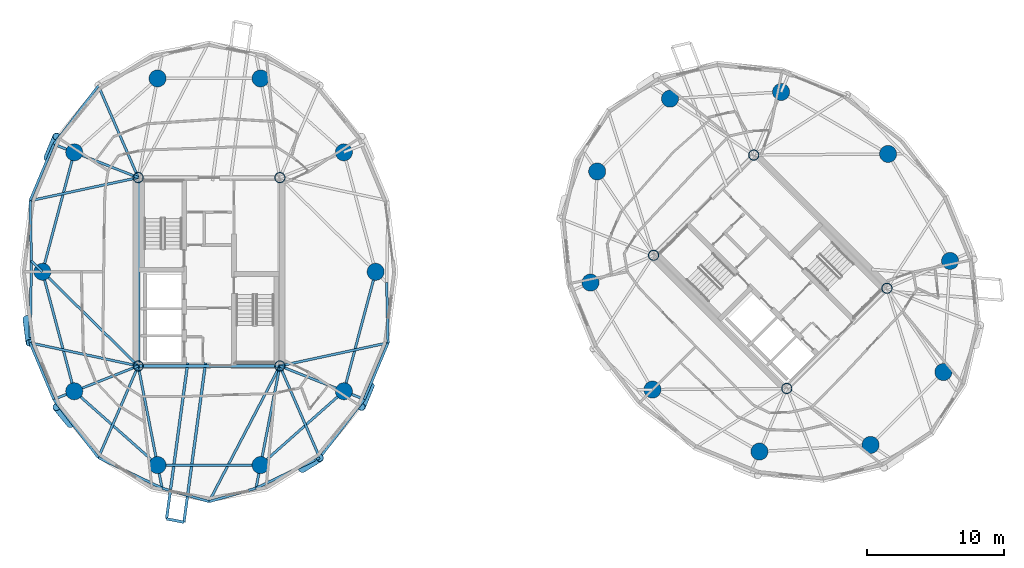
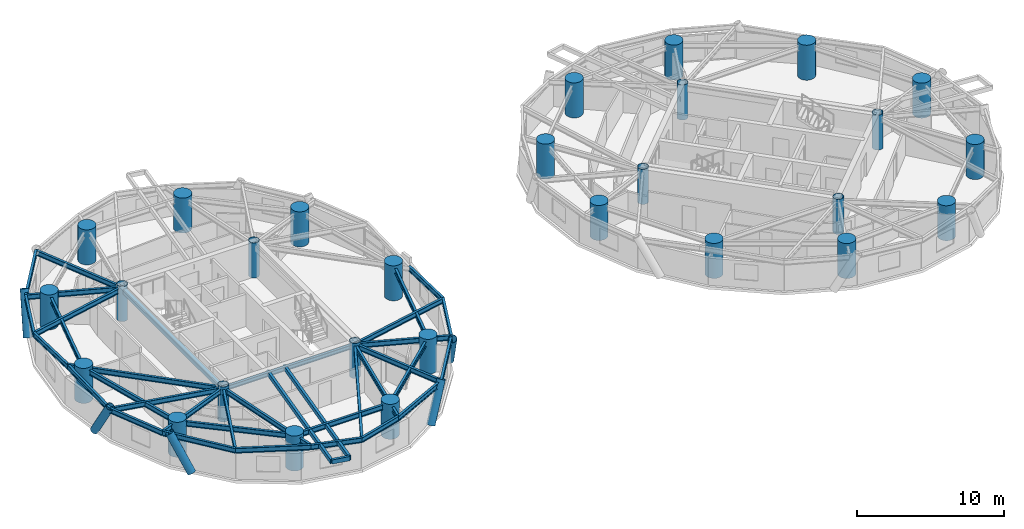
# One storey, part 1 of 17: 38 beams, 28 columns, 5 members.
"""IFC4 building model written with IfcOpenShell, lengths in metres."""

from ifc_helpers import new_model, si_unit, direction, frame, origin, origin_2d, place, context, subcontext, project, spatial, hollow_rectangle, circle, hollow_circle, i_section, extrude, material, material_profile, profile_set, type_object, element, save


model = new_model("IFC4")

# Units and contexts
model_context = context("Model", 3, precision=1e-05, world=origin(), true_north=direction((0.0, 1.0)))
body_context = subcontext(model_context, "Body", "Model", "MODEL_VIEW")
ifc_project = project(units=[si_unit("LENGTHUNIT", "METRE"), si_unit("AREAUNIT", "SQUARE_METRE"), si_unit("VOLUMEUNIT", "CUBIC_METRE"), si_unit("PLANEANGLEUNIT", "RADIAN"), si_unit("MASSUNIT", "GRAM", prefix="KILO")], contexts=[model_context])

# Site, building, storey
site_placement = place(None, origin())
site = spatial("IfcSite", under=ifc_project, at=site_placement, CompositionType="ELEMENT")
building_placement = place(site_placement, origin())
building = spatial("IfcBuilding", under=site, at=building_placement, Name="Cununo Teusaquillo Station Towers", CompositionType="ELEMENT")
storey_placement = place(building_placement, frame((0.0, 0.0, 174.8798828125)))
storey = spatial("IfcBuildingStorey", under=building, at=storey_placement, Name="L55", CompositionType="ELEMENT", Elevation=174.8798828125)

# Columns
ifc_material_1 = material(Name="Steel EN 10025-2 S355J2", Category="steel")
ifc_material_profile_1 = material_profile(ifc_material_1, hollow_circle(Radius=0.3798828125, WallThickness=0.031982421875, at=origin_2d()), Name="CHS 760x32")
ifc_profile_set_1 = profile_set([ifc_material_profile_1], Name="Steel EN 10025-2 S355J2")
column_type_1 = type_object("IfcColumnType", Name="COL-CORE-Z2", PredefinedType="COLUMN", material=ifc_profile_set_1)
for number, where, z_axis, x_axis, name in (
    (1, (11.324951171875, 17.6201171875, 0.0), (0.0, 0.0, 1.0), (1.0, 0.0, 0.0), "L55 Tower A Core Column 1"),
    (2, (11.324951171875, 31.3798828125, 0.0), (0.0, 0.0, 1.0), (1.0, 0.0, 0.0), "L55 Tower A Core Column 2"),
    (3, (21.675048828125, 17.6201171875, 0.0), (0.0, 0.0, 1.0), (1.0, 0.0, 0.0), "L55 Tower A Core Column 3"),
    (4, (21.675048828125, 31.3798828125, 0.0), (0.0, 0.0, 1.0), (1.0, 0.0, 0.0), "L55 Tower A Core Column 4"),
    (5, (58.70556640625, 15.975830078125, 0.0), (0.0, 0.0, 1.0), (0.707106781187, 0.707106781187, 0.0), "L55 Tower B Core Column 1"),
    (6, (48.975830078125, 25.70556640625, 0.0), (0.0, 0.0, 1.0), (0.707106781187, 0.707106781187, 0.0), "L55 Tower B Core Column 2"),
    (7, (66.024169921875, 23.29443359375, 0.0), (0.0, 0.0, 1.0), (0.707106781187, 0.707106781187, 0.0), "L55 Tower B Core Column 3"),
    (8, (56.29443359375, 33.024169921875, 0.0), (0.0, 0.0, 1.0), (0.707106781187, 0.707106781187, 0.0), "L55 Tower B Core Column 4"),
):
    element("IfcColumn", number, at=place(storey_placement, frame(where, z_axis=z_axis, x_axis=x_axis)), inside=storey, type_object=column_type_1, Name=name, PredefinedType="COLUMN", context=body_context, shape_type="SweptSolid", body=[
        extrude(hollow_circle(Radius=0.3798828125, WallThickness=0.031982421875, at=origin_2d()), origin(), (0.0, 0.0, 1.0), 2.91015625),
    ])
ifc_material_2 = material(Name="Concrete C60/75", Category="concrete")
ifc_material_profile_2 = material_profile(ifc_material_2, circle(Radius=0.625, at=origin_2d()), Name="RC-CIRC-1250")
ifc_profile_set_2 = profile_set([ifc_material_profile_2], Name="Concrete C60/75")
column_type_2 = type_object("IfcColumnType", Name="COL-MEGA-Z3", PredefinedType="USERDEFINED", material=ifc_profile_set_2)
for number, where, z_axis, x_axis, name in (
    (9, (28.672119140625, 24.5, 0.0), (0.0, 0.0, 1.0), (1.0, 0.0, 0.0), "L55 Tower A Perimeter Column V00"),
    (10, (26.347412109375, 33.228515625, 0.0), (0.0, 0.0, 1.0), (1.0, 0.0, 0.0), "L55 Tower A Perimeter Column V02"),
    (11, (20.261474609375, 38.623291015625, 0.0), (0.0, 0.0, 1.0), (1.0, 0.0, 0.0), "L55 Tower A Perimeter Column V04"),
    (12, (12.738525390625, 38.623291015625, 0.0), (0.0, 0.0, 1.0), (1.0, 0.0, 0.0), "L55 Tower A Perimeter Column V06"),
    (13, (6.652587890625, 33.228515625, 0.0), (0.0, 0.0, 1.0), (1.0, 0.0, 0.0), "L55 Tower A Perimeter Column V08"),
    (14, (4.327880859375, 24.5, 0.0), (0.0, 0.0, 1.0), (1.0, 0.0, 0.0), "L55 Tower A Perimeter Column V10"),
    (15, (6.652587890625, 15.771484375, 0.0), (0.0, 0.0, 1.0), (1.0, 0.0, 0.0), "L55 Tower A Perimeter Column V12"),
    (16, (12.738525390625, 10.376708984375, 0.0), (0.0, 0.0, 1.0), (1.0, 0.0, 0.0), "L55 Tower A Perimeter Column V14"),
    (17, (20.261474609375, 10.376708984375, 0.0), (0.0, 0.0, 1.0), (1.0, 0.0, 0.0), "L55 Tower A Perimeter Column V16"),
    (18, (26.347412109375, 15.771484375, 0.0), (0.0, 0.0, 1.0), (1.0, 0.0, 0.0), "L55 Tower A Perimeter Column V18"),
    (19, (66.10693359375, 33.10693359375, 0.0), (0.0, 0.0, 1.0), (1.0, 0.0, 0.0), "L55 Tower B Perimeter Column V00"),
    (20, (58.291015625, 37.63525390625, 0.0), (0.0, 0.0, 1.0), (1.0, 0.0, 0.0), "L55 Tower B Perimeter Column V02"),
    (21, (50.173095703125, 37.146240234375, 0.0), (0.0, 0.0, 1.0), (1.0, 0.0, 0.0), "L55 Tower B Perimeter Column V04"),
    (22, (44.853759765625, 31.826904296875, 0.0), (0.0, 0.0, 1.0), (1.0, 0.0, 0.0), "L55 Tower B Perimeter Column V06"),
    (23, (44.36474609375, 23.708984375, 0.0), (0.0, 0.0, 1.0), (1.0, 0.0, 0.0), "L55 Tower B Perimeter Column V08"),
    (24, (48.89306640625, 15.89306640625, 0.0), (0.0, 0.0, 1.0), (1.0, 0.0, 0.0), "L55 Tower B Perimeter Column V10"),
    (25, (56.708984375, 11.36474609375, 0.0), (0.0, 0.0, 1.0), (1.0, 0.0, 0.0), "L55 Tower B Perimeter Column V12"),
    (26, (64.826904296875, 11.853759765625, 0.0), (0.0, 0.0, 1.0), (1.0, 0.0, 0.0), "L55 Tower B Perimeter Column V14"),
    (27, (70.146240234375, 17.173095703125, 0.0), (0.0, 0.0, 1.0), (1.0, 0.0, 0.0), "L55 Tower B Perimeter Column V16"),
    (28, (70.63525390625, 25.291015625, 0.0), (0.0, 0.0, 1.0), (1.0, 0.0, 0.0), "L55 Tower B Perimeter Column V18"),
):
    element("IfcColumn", number, at=place(storey_placement, frame(where, z_axis=z_axis, x_axis=x_axis)), inside=storey, type_object=column_type_2, Name=name, ObjectType="MEGA COLUMN", PredefinedType="USERDEFINED", context=body_context, shape_type="SweptSolid", body=[
        extrude(circle(Radius=0.625, at=origin_2d()), origin(), (0.0, 0.0, 1.0), 2.91015625),
    ])

# Beams
ifc_material_3 = material(Name="Steel EN 10025-2 S355J2", Category="steel")
ifc_material_profile_3 = material_profile(ifc_material_3, hollow_rectangle(XDim=0.199951171875, YDim=0.35009765625, WallThickness=0.013916015625, at=origin_2d()), Name="RHS 350x200x14")
ifc_profile_set_3 = profile_set([ifc_material_profile_3], Name="Steel EN 10025-2 S355J2")
beam_type_1 = type_object("IfcBeamType", Name="BM-BAL-CANT", PredefinedType="BEAM", material=ifc_profile_set_3)
beam_1_placement = place(storey_placement, frame((14.94482421875, 17.85009765625, 2.51513671875), z_axis=(-0.134626438315, -0.990896423501, 0.0), x_axis=(0.990896423501, -0.134626438315, 0.0)))
element("IfcBeam", 29, at=beam_1_placement, inside=storey, type_object=beam_type_1, Name="L55 Tower A Balcony Cantilever Bracket 2A", PredefinedType="BEAM", context=body_context, shape_type="SweptSolid", body=[
    extrude(hollow_rectangle(XDim=0.199951171875, YDim=0.35009765625, WallThickness=0.013916015625, at=origin_2d()), origin(), (0.0, 0.0, 1.0), 11.504638671875),
])
beam_2_placement = place(storey_placement, frame((16.248046875, 17.85009765625, 2.51513671875), z_axis=(-0.134615370715, -0.990897927118, 0.0), x_axis=(0.990897927118, -0.134615370715, 0.0)))
element("IfcBeam", 30, at=beam_2_placement, inside=storey, type_object=beam_type_1, Name="L55 Tower A Balcony Cantilever Bracket 2B", PredefinedType="BEAM", context=body_context, shape_type="SweptSolid", body=[
    extrude(hollow_rectangle(XDim=0.199951171875, YDim=0.35009765625, WallThickness=0.013916015625, at=origin_2d()), origin(), (0.0, 0.0, 1.0), 11.752197265625),
])
ifc_material_4 = material(Name="Steel EN 10025-2 S355J2", Category="steel")
ifc_material_profile_4 = material_profile(ifc_material_4, hollow_rectangle(XDim=0.25, YDim=0.449951171875, WallThickness=0.01611328125, at=origin_2d()), Name="RHS 450x250x16")
ifc_profile_set_4 = profile_set([ifc_material_profile_4], Name="Steel EN 10025-2 S355J2")
beam_type_2 = type_object("IfcBeamType", Name="BM-COUP-1", PredefinedType="USERDEFINED", material=ifc_profile_set_4)
beam_3_placement = place(storey_placement, frame((11.324951171875, 17.6201171875, 2.465087890625), z_axis=(0.0, 1.0, 0.0), x_axis=(-1.0, 0.0, 0.0)))
element("IfcBeam", 31, at=beam_3_placement, inside=storey, type_object=beam_type_2, Name="L55 Tower A Core Beam 1", ObjectType="COUPLING BEAM", PredefinedType="USERDEFINED", context=body_context, shape_type="SweptSolid", body=[
    extrude(hollow_rectangle(XDim=0.25, YDim=0.449951171875, WallThickness=0.01611328125, at=origin_2d()), origin(), (0.0, 0.0, 1.0), 13.759765625),
])
ifc_material_5 = material(Name="Steel ASTM A572 Grade 50", Category="steel")
ifc_material_profile_5 = material_profile(ifc_material_5, i_section(OverallWidth=0.180908203125, OverallDepth=0.4169921875, WebThickness=0.010986328125, FlangeThickness=0.018310546875, FilletRadius=0.012939453125, at=origin_2d()), Name="W16X57")
ifc_profile_set_5 = profile_set([ifc_material_profile_5], Name="Steel ASTM A572 Grade 50")
beam_type_3 = type_object("IfcBeamType", Name="BM-JOIST-1", PredefinedType="JOIST", material=ifc_profile_set_5)
beam_4_placement = place(storey_placement, frame((11.324951171875, 31.3798828125, 2.481689453125), z_axis=(-0.397903718051, 0.917427180304, 0.0), x_axis=(-0.917427180304, -0.397903718051, 0.0)))
element("IfcBeam", 32, at=beam_4_placement, inside=storey, type_object=beam_type_3, Name="L55 Tower A Radial Spandrel Joist V07", PredefinedType="JOIST", context=body_context, shape_type="SweptSolid", body=[
    extrude(i_section(OverallWidth=0.180908203125, OverallDepth=0.4169921875, WebThickness=0.010986328125, FlangeThickness=0.018310546875, FilletRadius=0.012939453125, at=origin_2d()), origin(), (0.0, 0.0, 1.0), 7.306884765625),
])
for number, where, z_axis, x_axis, name in (
    (33, (11.324951171875, 31.3798828125, 2.481689453125), (-0.977854548984, -0.209285644589, 0.0), (0.209285644589, -0.977854548984, 0.0), "L55 Tower A Radial Spandrel Joist V09"),
    (34, (11.324951171875, 17.6201171875, 2.481689453125), (-0.977854548984, 0.209285644589, 0.0), (-0.209285644589, -0.977854548984, 0.0), "L55 Tower A Radial Spandrel Joist V11"),
):
    element("IfcBeam", number, at=place(storey_placement, frame(where, z_axis=z_axis, x_axis=x_axis)), inside=storey, type_object=beam_type_3, Name=name, PredefinedType="JOIST", context=body_context, shape_type="SweptSolid", body=[
        extrude(i_section(OverallWidth=0.180908203125, OverallDepth=0.4169921875, WebThickness=0.010986328125, FlangeThickness=0.018310546875, FilletRadius=0.012939453125, at=origin_2d()), origin(), (0.0, 0.0, 1.0), 8.081787109375),
    ])
beam_5_placement = place(storey_placement, frame((11.324951171875, 17.6201171875, 2.481689453125), z_axis=(-0.397903718051, -0.917427180304, 0.0), x_axis=(0.917427180304, -0.397903718051, 0.0)))
element("IfcBeam", 35, at=beam_5_placement, inside=storey, type_object=beam_type_3, Name="L55 Tower A Radial Spandrel Joist V13", PredefinedType="JOIST", context=body_context, shape_type="SweptSolid", body=[
    extrude(i_section(OverallWidth=0.180908203125, OverallDepth=0.4169921875, WebThickness=0.010986328125, FlangeThickness=0.018310546875, FilletRadius=0.012939453125, at=origin_2d()), origin(), (0.0, 0.0, 1.0), 7.306884765625),
])
beam_6_placement = place(storey_placement, frame((21.675048828125, 17.6201171875, 2.481689453125), z_axis=(-0.462884645231, -0.886418527113, 0.0), x_axis=(0.886418527113, -0.462884645231, 0.0)))
element("IfcBeam", 36, at=beam_6_placement, inside=storey, type_object=beam_type_3, Name="L55 Tower A Radial Spandrel Joist V15", PredefinedType="JOIST", context=body_context, shape_type="SweptSolid", body=[
    extrude(i_section(OverallWidth=0.180908203125, OverallDepth=0.4169921875, WebThickness=0.010986328125, FlangeThickness=0.018310546875, FilletRadius=0.012939453125, at=origin_2d()), origin(), (0.0, 0.0, 1.0), 11.179931640625),
])
beam_7_placement = place(storey_placement, frame((21.675048828125, 17.6201171875, 2.481689453125), z_axis=(0.397903718051, -0.917427180304, 0.0), x_axis=(0.917427180304, 0.397903718051, 0.0)))
element("IfcBeam", 37, at=beam_7_placement, inside=storey, type_object=beam_type_3, Name="L55 Tower A Radial Spandrel Joist V17", PredefinedType="JOIST", context=body_context, shape_type="SweptSolid", body=[
    extrude(i_section(OverallWidth=0.180908203125, OverallDepth=0.4169921875, WebThickness=0.010986328125, FlangeThickness=0.018310546875, FilletRadius=0.012939453125, at=origin_2d()), origin(), (0.0, 0.0, 1.0), 7.306884765625),
])
beam_8_placement = place(storey_placement, frame((21.675048828125, 17.6201171875, 2.481689453125), z_axis=(0.977854548984, 0.209285644589, 0.0), x_axis=(-0.209285644589, 0.977854548984, 0.0)))
element("IfcBeam", 38, at=beam_8_placement, inside=storey, type_object=beam_type_3, Name="L55 Tower A Radial Spandrel Joist V19", PredefinedType="JOIST", context=body_context, shape_type="SweptSolid", body=[
    extrude(i_section(OverallWidth=0.180908203125, OverallDepth=0.4169921875, WebThickness=0.010986328125, FlangeThickness=0.018310546875, FilletRadius=0.012939453125, at=origin_2d()), origin(), (0.0, 0.0, 1.0), 8.081787109375),
])
ifc_material_6 = material(Name="Steel ASTM A572 Grade 50", Category="steel")
ifc_material_profile_6 = material_profile(ifc_material_6, i_section(OverallWidth=0.2041015625, OverallDepth=0.35009765625, WebThickness=0.008544921875, FlangeThickness=0.01513671875, FilletRadius=0.011962890625, at=origin_2d()), Name="W14X48")
ifc_profile_set_6 = profile_set([ifc_material_profile_6], Name="Steel ASTM A572 Grade 50")
beam_type_4 = type_object("IfcBeamType", Name="BM-LINTEL-1", PredefinedType="LINTEL", material=ifc_profile_set_6)
beam_9_placement = place(storey_placement, frame((11.324951171875, 17.6201171875, 2.51513671875), z_axis=(1.0, 0.0, 0.0), x_axis=(0.0, 1.0, 0.0)))
element("IfcBeam", 39, at=beam_9_placement, inside=storey, type_object=beam_type_4, Name="L55 Tower A Core Beam 3", PredefinedType="LINTEL", context=body_context, shape_type="SweptSolid", body=[
    extrude(i_section(OverallWidth=0.2041015625, OverallDepth=0.35009765625, WebThickness=0.008544921875, FlangeThickness=0.01513671875, FilletRadius=0.011962890625, at=origin_2d()), origin(), (0.0, 0.0, 1.0), 10.35009765625),
])
ifc_material_7 = material(Name="Steel ASTM A572 Grade 50", Category="steel")
ifc_material_profile_7 = material_profile(ifc_material_7, i_section(OverallWidth=0.180908203125, OverallDepth=0.4169921875, WebThickness=0.010986328125, FlangeThickness=0.018310546875, FilletRadius=0.012939453125, at=origin_2d()), Name="W16X57")
ifc_profile_set_7 = profile_set([ifc_material_profile_7], Name="Steel ASTM A572 Grade 50")
beam_type_5 = type_object("IfcBeamType", Name="BM-RAD-G2", PredefinedType="BEAM", material=ifc_profile_set_7)
beam_10_placement = place(storey_placement, frame((11.324951171875, 31.3798828125, 2.481689453125), z_axis=(-0.929866438974, 0.367897275974, 0.0), x_axis=(-0.367897275974, -0.929866438974, 0.0)))
element("IfcBeam", 40, at=beam_10_placement, inside=storey, type_object=beam_type_5, Name="L55 Tower A Continuous Overhanging Radial Girder 05", PredefinedType="BEAM", context=body_context, shape_type="SweptSolid", body=[
    extrude(i_section(OverallWidth=0.180908203125, OverallDepth=0.4169921875, WebThickness=0.010986328125, FlangeThickness=0.018310546875, FilletRadius=0.012939453125, at=origin_2d()), origin(), (0.0, 0.0, 1.0), 6.632080078125),
])
beam_11_placement = place(storey_placement, frame((11.324951171875, 17.6201171875, 2.481689453125), z_axis=(-0.713052701438, 0.701110437073, 0.0), x_axis=(-0.701110437073, -0.713052701438, 0.0)))
element("IfcBeam", 41, at=beam_11_placement, inside=storey, type_object=beam_type_5, Name="L55 Tower A Radial Girder 06A", PredefinedType="BEAM", context=body_context, shape_type="SweptSolid", body=[
    extrude(i_section(OverallWidth=0.180908203125, OverallDepth=0.4169921875, WebThickness=0.010986328125, FlangeThickness=0.018310546875, FilletRadius=0.012939453125, at=origin_2d()), origin(), (0.0, 0.0, 1.0), 9.812744140625),
])
beam_12_placement = place(storey_placement, frame((4.327880859375, 24.5, 2.481689453125), z_axis=(-0.713045362701, 0.701117900734, 0.0), x_axis=(-0.701117900734, -0.713045362701, 0.0)))
element("IfcBeam", 42, at=beam_12_placement, inside=storey, type_object=beam_type_5, Name="L55 Tower A Perimeter Overhang Girder 06B", PredefinedType="BEAM", context=body_context, shape_type="SweptSolid", body=[
    extrude(i_section(OverallWidth=0.180908203125, OverallDepth=0.4169921875, WebThickness=0.010986328125, FlangeThickness=0.018310546875, FilletRadius=0.012939453125, at=origin_2d()), origin(), (0.0, 0.0, 1.0), 1.125732421875),
])
beam_13_placement = place(storey_placement, frame((11.324951171875, 17.6201171875, 2.481689453125), z_axis=(-0.929866438974, -0.367897275974, 0.0), x_axis=(0.367897275974, -0.929866438974, 0.0)))
element("IfcBeam", 43, at=beam_13_placement, inside=storey, type_object=beam_type_5, Name="L55 Tower A Continuous Overhanging Radial Girder 07", PredefinedType="BEAM", context=body_context, shape_type="SweptSolid", body=[
    extrude(i_section(OverallWidth=0.180908203125, OverallDepth=0.4169921875, WebThickness=0.010986328125, FlangeThickness=0.018310546875, FilletRadius=0.012939453125, at=origin_2d()), origin(), (0.0, 0.0, 1.0), 6.632080078125),
])
for number, where, z_axis, x_axis, name in (
    (44, (11.324951171875, 17.6201171875, 2.481689453125), (0.191557018874, -0.981481486591, 0.0), (0.981481486591, 0.191557018874, 0.0), "L55 Tower A Continuous Overhanging Radial Girder 08"),
    (45, (21.675048828125, 17.6201171875, 2.481689453125), (-0.191557018874, -0.981481486591, 0.0), (0.981481486591, -0.191557018874, 0.0), "L55 Tower A Continuous Overhanging Radial Girder 09"),
):
    element("IfcBeam", number, at=place(storey_placement, frame(where, z_axis=z_axis, x_axis=x_axis)), inside=storey, type_object=beam_type_5, Name=name, PredefinedType="BEAM", context=body_context, shape_type="SweptSolid", body=[
        extrude(i_section(OverallWidth=0.180908203125, OverallDepth=0.4169921875, WebThickness=0.010986328125, FlangeThickness=0.018310546875, FilletRadius=0.012939453125, at=origin_2d()), origin(), (0.0, 0.0, 1.0), 9.097412109375),
    ])
beam_14_placement = place(storey_placement, frame((21.675048828125, 17.6201171875, 2.481689453125), z_axis=(0.929866438974, -0.367897275974, 0.0), x_axis=(0.367897275974, 0.929866438974, 0.0)))
element("IfcBeam", 46, at=beam_14_placement, inside=storey, type_object=beam_type_5, Name="L55 Tower A Continuous Overhanging Radial Girder 10", PredefinedType="BEAM", context=body_context, shape_type="SweptSolid", body=[
    extrude(i_section(OverallWidth=0.180908203125, OverallDepth=0.4169921875, WebThickness=0.010986328125, FlangeThickness=0.018310546875, FilletRadius=0.012939453125, at=origin_2d()), origin(), (0.0, 0.0, 1.0), 6.632080078125),
])
ifc_material_8 = material(Name="Steel ASTM A572 Grade 50", Category="steel")
ifc_material_profile_8 = material_profile(ifc_material_8, i_section(OverallWidth=0.180908203125, OverallDepth=0.4169921875, WebThickness=0.010986328125, FlangeThickness=0.018310546875, FilletRadius=0.012939453125, at=origin_2d()), Name="W16X57")
ifc_profile_set_8 = profile_set([ifc_material_profile_8], Name="Steel ASTM A572 Grade 50")
beam_type_6 = type_object("IfcBeamType", Name="BM-RING-Z3", PredefinedType="SPANDREL", material=ifc_profile_set_8)
for number, where, z_axis, x_axis, name in (
    (47, (6.652587890625, 33.228515625, 2.481689453125), (-0.257363196347, -0.966314744359, 0.0), (0.966314744359, -0.257363196347, 0.0), "L55 Tower A Structural Column Ring Girder 05"),
    (48, (4.327880859375, 24.5, 2.481689453125), (0.257363196347, -0.966314744359, 0.0), (0.966314744359, 0.257363196347, 0.0), "L55 Tower A Structural Column Ring Girder 06"),
):
    element("IfcBeam", number, at=place(storey_placement, frame(where, z_axis=z_axis, x_axis=x_axis)), inside=storey, type_object=beam_type_6, Name=name, PredefinedType="SPANDREL", context=body_context, shape_type="SweptSolid", body=[
        extrude(i_section(OverallWidth=0.180908203125, OverallDepth=0.4169921875, WebThickness=0.010986328125, FlangeThickness=0.018310546875, FilletRadius=0.012939453125, at=origin_2d()), origin(), (0.0, 0.0, 1.0), 9.03271484375),
    ])
beam_15_placement = place(storey_placement, frame((6.652587890625, 15.771484375, 2.481689453125), z_axis=(0.74832120039, -0.66333655187, 0.0), x_axis=(0.66333655187, 0.74832120039, 0.0)))
element("IfcBeam", 49, at=beam_15_placement, inside=storey, type_object=beam_type_6, Name="L55 Tower A Structural Column Ring Girder 07", PredefinedType="SPANDREL", context=body_context, shape_type="SweptSolid", body=[
    extrude(i_section(OverallWidth=0.180908203125, OverallDepth=0.4169921875, WebThickness=0.010986328125, FlangeThickness=0.018310546875, FilletRadius=0.012939453125, at=origin_2d()), origin(), (0.0, 0.0, 1.0), 8.1328125),
])
beam_16_placement = place(storey_placement, frame((12.738525390625, 10.376708984375, 2.481689453125), z_axis=(1.0, 0.0, 0.0), x_axis=(0.0, 1.0, 0.0)))
element("IfcBeam", 50, at=beam_16_placement, inside=storey, type_object=beam_type_6, Name="L55 Tower A Structural Column Ring Girder 08", PredefinedType="SPANDREL", context=body_context, shape_type="SweptSolid", body=[
    extrude(i_section(OverallWidth=0.180908203125, OverallDepth=0.4169921875, WebThickness=0.010986328125, FlangeThickness=0.018310546875, FilletRadius=0.012939453125, at=origin_2d()), origin(), (0.0, 0.0, 1.0), 7.52294921875),
])
beam_17_placement = place(storey_placement, frame((20.261474609375, 10.376708984375, 2.481689453125), z_axis=(0.74832120039, 0.66333655187, 0.0), x_axis=(-0.66333655187, 0.74832120039, 0.0)))
element("IfcBeam", 51, at=beam_17_placement, inside=storey, type_object=beam_type_6, Name="L55 Tower A Structural Column Ring Girder 09", PredefinedType="SPANDREL", context=body_context, shape_type="SweptSolid", body=[
    extrude(i_section(OverallWidth=0.180908203125, OverallDepth=0.4169921875, WebThickness=0.010986328125, FlangeThickness=0.018310546875, FilletRadius=0.012939453125, at=origin_2d()), origin(), (0.0, 0.0, 1.0), 8.1328125),
])
beam_18_placement = place(storey_placement, frame((26.347412109375, 15.771484375, 2.481689453125), z_axis=(0.257363196347, 0.966314744359, 0.0), x_axis=(-0.966314744359, 0.257363196347, 0.0)))
element("IfcBeam", 52, at=beam_18_placement, inside=storey, type_object=beam_type_6, Name="L55 Tower A Structural Column Ring Girder 10", PredefinedType="SPANDREL", context=body_context, shape_type="SweptSolid", body=[
    extrude(i_section(OverallWidth=0.180908203125, OverallDepth=0.4169921875, WebThickness=0.010986328125, FlangeThickness=0.018310546875, FilletRadius=0.012939453125, at=origin_2d()), origin(), (0.0, 0.0, 1.0), 9.03271484375),
])
beam_19_placement = place(storey_placement, frame((8.41748046875, 38.08349609375, 2.481689453125), z_axis=(-0.607340349092, -0.794441753916, 0.0), x_axis=(0.794441753916, -0.607340349092, 0.0)))
element("IfcBeam", 53, at=beam_19_placement, inside=storey, type_object=beam_type_6, Name="L55 Tower A Spandrel Ring Beam 08", PredefinedType="SPANDREL", context=body_context, shape_type="SweptSolid", body=[
    extrude(i_section(OverallWidth=0.180908203125, OverallDepth=0.4169921875, WebThickness=0.010986328125, FlangeThickness=0.018310546875, FilletRadius=0.012939453125, at=origin_2d()), origin(), (0.0, 0.0, 1.0), 5.366943359375),
])
beam_20_placement = place(storey_placement, frame((5.157958984375, 33.81982421875, 2.481689453125), z_axis=(-0.387360300858, -0.921928412253, 0.0), x_axis=(0.921928412253, -0.387360300858, 0.0)))
element("IfcBeam", 54, at=beam_20_placement, inside=storey, type_object=beam_type_6, Name="L55 Tower A Spandrel Ring Beam 09", PredefinedType="SPANDREL", context=body_context, shape_type="SweptSolid", body=[
    extrude(i_section(OverallWidth=0.180908203125, OverallDepth=0.4169921875, WebThickness=0.010986328125, FlangeThickness=0.018310546875, FilletRadius=0.012939453125, at=origin_2d()), origin(), (0.0, 0.0, 1.0), 4.481201171875),
])
beam_21_placement = place(storey_placement, frame((3.422119140625, 29.6884765625, 2.481689453125), z_axis=(0.0234133036, -0.999725871034, 0.0), x_axis=(0.999725871034, 0.0234133036, 0.0)))
element("IfcBeam", 55, at=beam_21_placement, inside=storey, type_object=beam_type_6, Name="L55 Tower A Spandrel Ring Beam 10", PredefinedType="SPANDREL", context=body_context, shape_type="SweptSolid", body=[
    extrude(i_section(OverallWidth=0.180908203125, OverallDepth=0.4169921875, WebThickness=0.010986328125, FlangeThickness=0.018310546875, FilletRadius=0.012939453125, at=origin_2d()), origin(), (0.0, 0.0, 1.0), 4.400390625),
])
beam_22_placement = place(storey_placement, frame((3.525146484375, 25.289306640625, 2.481689453125), z_axis=(-0.017232482627, -0.999851509747, 0.0), x_axis=(0.999851509747, -0.017232482627, 0.0)))
element("IfcBeam", 56, at=beam_22_placement, inside=storey, type_object=beam_type_6, Name="L55 Tower A Spandrel Ring Beam 11", PredefinedType="SPANDREL", context=body_context, shape_type="SweptSolid", body=[
    extrude(i_section(OverallWidth=0.180908203125, OverallDepth=0.4169921875, WebThickness=0.010986328125, FlangeThickness=0.018310546875, FilletRadius=0.012939453125, at=origin_2d()), origin(), (0.0, 0.0, 1.0), 5.978759765625),
])
beam_23_placement = place(storey_placement, frame((3.422119140625, 19.3115234375, 2.481689453125), z_axis=(0.387360300858, -0.921928412253, 0.0), x_axis=(0.921928412253, 0.387360300858, 0.0)))
element("IfcBeam", 57, at=beam_23_placement, inside=storey, type_object=beam_type_6, Name="L55 Tower A Spandrel Ring Beam 12", PredefinedType="SPANDREL", context=body_context, shape_type="SweptSolid", body=[
    extrude(i_section(OverallWidth=0.180908203125, OverallDepth=0.4169921875, WebThickness=0.010986328125, FlangeThickness=0.018310546875, FilletRadius=0.012939453125, at=origin_2d()), origin(), (0.0, 0.0, 1.0), 4.481201171875),
])
beam_24_placement = place(storey_placement, frame((5.157958984375, 15.18017578125, 2.481689453125), z_axis=(0.607340349092, -0.794441753916, 0.0), x_axis=(0.794441753916, 0.607340349092, 0.0)))
element("IfcBeam", 58, at=beam_24_placement, inside=storey, type_object=beam_type_6, Name="L55 Tower A Spandrel Ring Beam 13", PredefinedType="SPANDREL", context=body_context, shape_type="SweptSolid", body=[
    extrude(i_section(OverallWidth=0.180908203125, OverallDepth=0.4169921875, WebThickness=0.010986328125, FlangeThickness=0.018310546875, FilletRadius=0.012939453125, at=origin_2d()), origin(), (0.0, 0.0, 1.0), 5.366943359375),
])
beam_25_placement = place(storey_placement, frame((8.41748046875, 10.91650390625, 2.481689453125), z_axis=(0.902031610991, -0.431669981319, 0.0), x_axis=(0.431669981319, 0.902031610991, 0.0)))
element("IfcBeam", 59, at=beam_25_placement, inside=storey, type_object=beam_type_6, Name="L55 Tower A Spandrel Ring Beam 14", PredefinedType="SPANDREL", context=body_context, shape_type="SweptSolid", body=[
    extrude(i_section(OverallWidth=0.180908203125, OverallDepth=0.4169921875, WebThickness=0.010986328125, FlangeThickness=0.018310546875, FilletRadius=0.012939453125, at=origin_2d()), origin(), (0.0, 0.0, 1.0), 5.1552734375),
])
for number, where, z_axis, x_axis, name in (
    (60, (13.067626953125, 8.691162109375, 2.481689453125), (0.961485227168, -0.274856613414, 0.0), (0.274856613414, 0.961485227168, 0.0), "L55 Tower A Spandrel Ring Beam 15"),
    (61, (16.5, 7.7099609375, 2.481689453125), (0.961485227168, 0.274856613414, 0.0), (-0.274856613414, 0.961485227168, 0.0), "L55 Tower A Spandrel Ring Beam 16"),
):
    element("IfcBeam", number, at=place(storey_placement, frame(where, z_axis=z_axis, x_axis=x_axis)), inside=storey, type_object=beam_type_6, Name=name, PredefinedType="SPANDREL", context=body_context, shape_type="SweptSolid", body=[
        extrude(i_section(OverallWidth=0.180908203125, OverallDepth=0.4169921875, WebThickness=0.010986328125, FlangeThickness=0.018310546875, FilletRadius=0.012939453125, at=origin_2d()), origin(), (0.0, 0.0, 1.0), 3.56982421875),
    ])
beam_26_placement = place(storey_placement, frame((19.932373046875, 8.691162109375, 2.481689453125), z_axis=(0.902031610991, 0.431669981319, 0.0), x_axis=(-0.431669981319, 0.902031610991, 0.0)))
element("IfcBeam", 62, at=beam_26_placement, inside=storey, type_object=beam_type_6, Name="L55 Tower A Spandrel Ring Beam 17", PredefinedType="SPANDREL", context=body_context, shape_type="SweptSolid", body=[
    extrude(i_section(OverallWidth=0.180908203125, OverallDepth=0.4169921875, WebThickness=0.010986328125, FlangeThickness=0.018310546875, FilletRadius=0.012939453125, at=origin_2d()), origin(), (0.0, 0.0, 1.0), 5.1552734375),
])
beam_27_placement = place(storey_placement, frame((24.58251953125, 10.91650390625, 2.481689453125), z_axis=(0.607340349092, 0.794441753916, 0.0), x_axis=(-0.794441753916, 0.607340349092, 0.0)))
element("IfcBeam", 63, at=beam_27_placement, inside=storey, type_object=beam_type_6, Name="L55 Tower A Spandrel Ring Beam 18", PredefinedType="SPANDREL", context=body_context, shape_type="SweptSolid", body=[
    extrude(i_section(OverallWidth=0.180908203125, OverallDepth=0.4169921875, WebThickness=0.010986328125, FlangeThickness=0.018310546875, FilletRadius=0.012939453125, at=origin_2d()), origin(), (0.0, 0.0, 1.0), 5.366943359375),
])
beam_28_placement = place(storey_placement, frame((27.842041015625, 15.18017578125, 2.481689453125), z_axis=(0.387360300858, 0.921928412253, 0.0), x_axis=(-0.921928412253, 0.387360300858, 0.0)))
element("IfcBeam", 64, at=beam_28_placement, inside=storey, type_object=beam_type_6, Name="L55 Tower A Spandrel Ring Beam 19", PredefinedType="SPANDREL", context=body_context, shape_type="SweptSolid", body=[
    extrude(i_section(OverallWidth=0.180908203125, OverallDepth=0.4169921875, WebThickness=0.010986328125, FlangeThickness=0.018310546875, FilletRadius=0.012939453125, at=origin_2d()), origin(), (0.0, 0.0, 1.0), 4.481201171875),
])
beam_29_placement = place(storey_placement, frame((29.577880859375, 19.3115234375, 2.481689453125), z_axis=(-0.0234133036, 0.999725871034, 0.0), x_axis=(-0.999725871034, -0.0234133036, 0.0)))
element("IfcBeam", 65, at=beam_29_placement, inside=storey, type_object=beam_type_6, Name="L55 Tower A Spandrel Ring Beam 20", PredefinedType="SPANDREL", context=body_context, shape_type="SweptSolid", body=[
    extrude(i_section(OverallWidth=0.180908203125, OverallDepth=0.4169921875, WebThickness=0.010986328125, FlangeThickness=0.018310546875, FilletRadius=0.012939453125, at=origin_2d()), origin(), (0.0, 0.0, 1.0), 4.400390625),
])
ifc_material_9 = material(Name="Steel EN 10025-2 S355J2", Category="steel")
ifc_material_profile_9 = material_profile(ifc_material_9, hollow_rectangle(XDim=0.199951171875, YDim=0.35009765625, WallThickness=0.013916015625, at=origin_2d()), Name="RHS 350x200x14")
ifc_profile_set_9 = profile_set([ifc_material_profile_9], Name="Steel EN 10025-2 S355J2")
beam_type_7 = type_object("IfcBeamType", Name="BM-STAIR-TRIM", PredefinedType="BEAM", material=ifc_profile_set_9)
beam_30_placement = place(storey_placement, frame((13.39599609375, 6.4501953125, 2.525146484375), z_axis=(0.981844538169, -0.189687381942, 0.0), x_axis=(0.189687381942, 0.981844538169, 0.0)))
element("IfcBeam", 66, at=beam_30_placement, inside=storey, type_object=beam_type_7, Name="L55 Tower A Balcony Edge Trimmer Beam 2", PredefinedType="BEAM", context=body_context, shape_type="SweptSolid", body=[
    extrude(hollow_rectangle(XDim=0.199951171875, YDim=0.35009765625, WallThickness=0.013916015625, at=origin_2d()), origin(), (0.0, 0.0, 1.0), 1.29345703125),
])

# Members
ifc_material_10 = material(Name="Steel EN 10025-2 S355J2", Category="steel")
ifc_material_profile_10 = material_profile(ifc_material_10, hollow_circle(Radius=0.304931640625, WallThickness=0.02001953125, at=origin_2d()), Name="CHS 610x20")
ifc_profile_set_10 = profile_set([ifc_material_profile_10], Name="Steel EN 10025-2 S355J2")
member_type = type_object("IfcMemberType", Name="MBR-DIAG-Z3", PredefinedType="BRACE", material=ifc_profile_set_10)
member_1_placement = place(storey_placement, frame((4.72412109375, 32.80859375, -0.139892578125), z_axis=(0.193474164804, 0.463627066841, 0.864648882753), x_axis=(-0.922867447473, 0.38511774095, 0.0)))
element("IfcMember", 67, at=member_1_placement, inside=storey, type_object=member_type, Name="L55 Tower A Folded-Zigzag Diagrid Tube C08", PredefinedType="BRACE", context=body_context, shape_type="SweptSolid", body=[
    extrude(hollow_circle(Radius=0.304931640625, WallThickness=0.02001953125, at=origin_2d()), origin(), (0.0, 0.0, 1.0), 3.365478515625),
])
member_2_placement = place(storey_placement, frame((3.19775390625, 21.041015625, -0.139892578125), z_axis=(0.066135618578, -0.509798391741, 0.857748028114), x_axis=(0.991689942952, 0.128650911572, 0.0)))
element("IfcMember", 68, at=member_2_placement, inside=storey, type_object=member_type, Name="L55 Tower A Folded-Zigzag Diagrid Tube C10", PredefinedType="BRACE", context=body_context, shape_type="SweptSolid", body=[
    extrude(hollow_circle(Radius=0.304931640625, WallThickness=0.02001953125, at=origin_2d()), origin(), (0.0, 0.0, 1.0), 3.392578125),
])
member_3_placement = place(storey_placement, frame((6.389404296875, 13.392822265625, -0.139892578125), z_axis=(-0.305372286435, 0.372857062301, 0.876199393842), x_axis=(-0.773644588877, -0.633619799329, 0.0)))
element("IfcMember", 69, at=member_3_placement, inside=storey, type_object=member_type, Name="L55 Tower A Folded-Zigzag Diagrid Tube C12", PredefinedType="BRACE", context=body_context, shape_type="SweptSolid", body=[
    extrude(hollow_circle(Radius=0.304931640625, WallThickness=0.02001953125, at=origin_2d()), origin(), (0.0, 0.0, 1.0), 3.321044921875),
])
member_4_placement = place(storey_placement, frame((23.3046875, 10.12158203125, -0.139892578125), z_axis=(0.390055565185, 0.24264824613, 0.888244608606), x_axis=(-0.528218719344, 0.849108346758, 0.0)))
element("IfcMember", 70, at=member_4_placement, inside=storey, type_object=member_type, Name="L55 Tower A Folded-Zigzag Diagrid Tube C16", PredefinedType="BRACE", context=body_context, shape_type="SweptSolid", body=[
    extrude(hollow_circle(Radius=0.304931640625, WallThickness=0.02001953125, at=origin_2d()), origin(), (0.0, 0.0, 1.0), 3.276123046875),
])
member_5_placement = place(storey_placement, frame((28.27587890625, 16.19140625, -0.139892578125), z_axis=(-0.193474164804, -0.463627066841, 0.864648882753), x_axis=(0.922867447473, -0.38511774095, 0.0)))
element("IfcMember", 71, at=member_5_placement, inside=storey, type_object=member_type, Name="L55 Tower A Folded-Zigzag Diagrid Tube C18", PredefinedType="BRACE", context=body_context, shape_type="SweptSolid", body=[
    extrude(hollow_circle(Radius=0.304931640625, WallThickness=0.02001953125, at=origin_2d()), origin(), (0.0, 0.0, 1.0), 3.365478515625),
])

save(model, "model.ifc")
